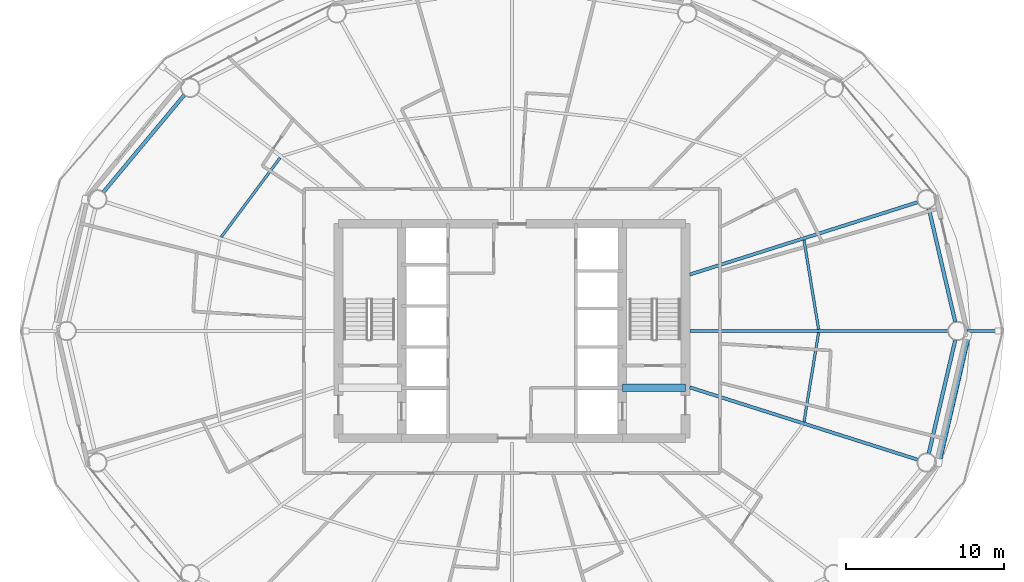
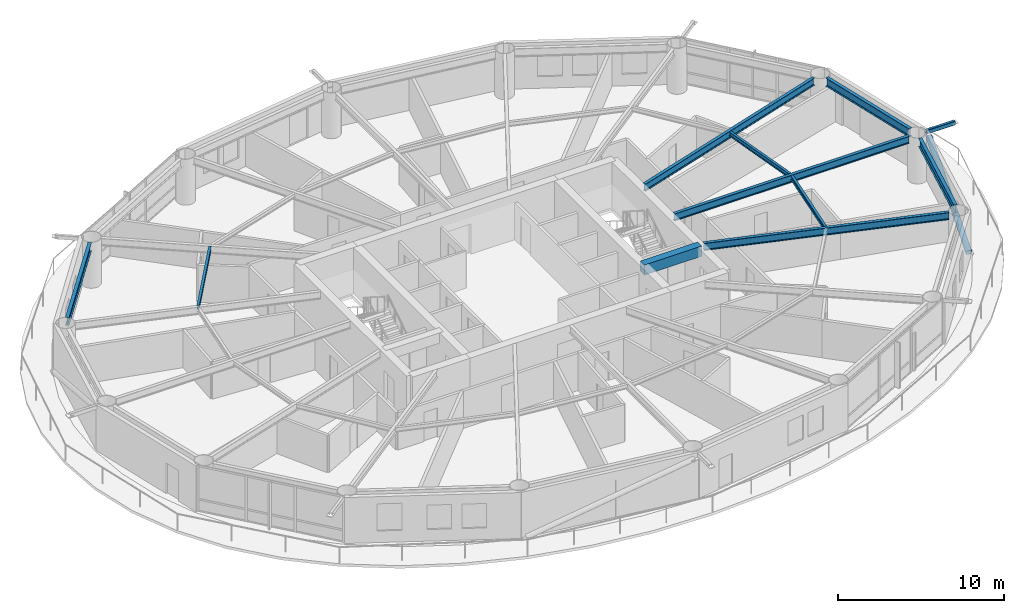
# One storey, part 7 of 24: 10 beams, 2 members.
"""IFC4 building model written with IfcOpenShell, lengths in metres."""

from ifc_helpers import new_model, si_unit, direction, frame, origin, origin_2d, place, context, subcontext, project, spatial, rectangle, hollow_rectangle, hollow_circle, i_section, extrude, material, material_profile, profile_set, type_object, element, save


model = new_model("IFC4")

# Units and contexts
model_context = context("Model", 3, precision=1e-05, world=origin(), true_north=direction((0.0, 1.0)))
body_context = subcontext(model_context, "Body", "Model", "MODEL_VIEW")
ifc_project = project(units=[si_unit("LENGTHUNIT", "METRE"), si_unit("AREAUNIT", "SQUARE_METRE"), si_unit("VOLUMEUNIT", "CUBIC_METRE"), si_unit("PLANEANGLEUNIT", "RADIAN"), si_unit("MASSUNIT", "GRAM", prefix="KILO")], contexts=[model_context])

# Site, building, storey
site_placement = place(None, origin())
site = spatial("IfcSite", under=ifc_project, at=site_placement, CompositionType="ELEMENT")
building_placement = place(site_placement, origin())
building = spatial("IfcBuilding", under=site, at=building_placement, Name="Sarneth Arch Tower", CompositionType="ELEMENT")
storey_placement = place(building_placement, frame((0.0, 0.0, 98.39990234375)))
storey = spatial("IfcBuildingStorey", under=building, at=storey_placement, Name="L24", CompositionType="ELEMENT", Elevation=98.39990234375)

# Beams
ifc_material_1 = material(Name="Steel S355", Category="steel")
ifc_material_profile_1 = material_profile(ifc_material_1, i_section(OverallWidth=0.1669921875, OverallDepth=0.31689453125, WebThickness=0.007568359375, FlangeThickness=0.01318359375, FilletRadius=0.012939453125, at=origin_2d()), Name="W310x52")
ifc_profile_set_1 = profile_set([ifc_material_profile_1], Name="Steel S355")
beam_type_1 = type_object("IfcBeamType", Name="BM-JOIST-310B", PredefinedType="JOIST", material=ifc_profile_set_1)
beam_1_placement = place(storey_placement, frame((67.438720703125, 42.10400390625, 3.2216796875), z_axis=(-0.16118181609, 0.986924729735, 0.0), x_axis=(-0.986924729735, -0.16118181609, 0.0)))
element("IfcBeam", 1, at=beam_1_placement, inside=storey, type_object=beam_type_1, Name="L24 Secondary floor joist 01", PredefinedType="JOIST", context=body_context, shape_type="SweptSolid", body=[
    extrude(i_section(OverallWidth=0.1669921875, OverallDepth=0.31689453125, WebThickness=0.007568359375, FlangeThickness=0.01318359375, FilletRadius=0.012939453125, at=origin_2d()), origin(), (0.0, 0.0, 1.0), 5.736083984375),
])
beam_2_placement = place(storey_placement, frame((33.296630859375, 52.9794921875, 3.2216796875), z_axis=(-0.596098474255, -0.802911333206, 0.0), x_axis=(0.802911333206, -0.596098474255, 0.0)))
element("IfcBeam", 2, at=beam_2_placement, inside=storey, type_object=beam_type_1, Name="L24 Secondary floor joist 07", PredefinedType="JOIST", context=body_context, shape_type="SweptSolid", body=[
    extrude(i_section(OverallWidth=0.1669921875, OverallDepth=0.31689453125, WebThickness=0.007568359375, FlangeThickness=0.01318359375, FilletRadius=0.012939453125, at=origin_2d()), origin(), (0.0, 0.0, 1.0), 6.259033203125),
])
beam_3_placement = place(storey_placement, frame((66.51416015625, 36.23486328125, 3.2216796875), z_axis=(0.16118181609, 0.986924729735, 0.0), x_axis=(-0.986924729735, 0.16118181609, 0.0)))
element("IfcBeam", 3, at=beam_3_placement, inside=storey, type_object=beam_type_1, Name="L24 Secondary floor joist 16", PredefinedType="JOIST", context=body_context, shape_type="SweptSolid", body=[
    extrude(i_section(OverallWidth=0.1669921875, OverallDepth=0.31689453125, WebThickness=0.007568359375, FlangeThickness=0.01318359375, FilletRadius=0.012939453125, at=origin_2d()), origin(), (0.0, 0.0, 1.0), 5.736083984375),
])
ifc_material_2 = material(Name="Concrete C50/60", Category="concrete")
ifc_material_profile_2 = material_profile(ifc_material_2, rectangle(XDim=0.5, YDim=0.75, at=origin_2d()), Name="RC-500x750")
ifc_profile_set_2 = profile_set([ifc_material_profile_2], Name="Concrete C50/60")
beam_type_2 = type_object("IfcBeamType", Name="BM-LINTEL-RC", PredefinedType="LINTEL", material=ifc_profile_set_2)
beam_4_placement = place(storey_placement, frame((55.0, 38.39990234375, 3.005126953125), z_axis=(1.0, 0.0, 0.0), x_axis=(0.0, 1.0, 0.0)))
element("IfcBeam", 4, at=beam_4_placement, inside=storey, type_object=beam_type_2, Name="L24 Core coupling lintel E", PredefinedType="LINTEL", context=body_context, shape_type="SweptSolid", body=[
    extrude(rectangle(XDim=0.5, YDim=0.75, at=origin_2d()), origin(), (0.0, 0.0, 1.0), 4.0),
])
ifc_material_3 = material(Name="Steel S355", Category="steel")
ifc_material_profile_3 = material_profile(ifc_material_3, i_section(OverallWidth=0.2109375, OverallDepth=0.5390625, WebThickness=0.01171875, FlangeThickness=0.018798828125, FilletRadius=0.01806640625, at=origin_2d()), Name="W530x109")
ifc_profile_set_3 = profile_set([ifc_material_profile_3], Name="Steel S355")
beam_type_3 = type_object("IfcBeamType", Name="BM-RAD-530B", PredefinedType="BEAM", material=ifc_profile_set_3)
beam_5_placement = place(storey_placement, frame((59.27490234375, 42.0, 3.110595703125), z_axis=(1.0, 0.0, 0.0), x_axis=(0.0, 1.0, 0.0)))
element("IfcBeam", 5, at=beam_5_placement, inside=storey, type_object=beam_type_3, Name="L24 Radial floor girder 01", PredefinedType="BEAM", context=body_context, shape_type="SweptSolid", body=[
    extrude(i_section(OverallWidth=0.2109375, OverallDepth=0.5390625, WebThickness=0.01171875, FlangeThickness=0.018798828125, FilletRadius=0.01806640625, at=origin_2d()), origin(), (0.0, 0.0, 1.0), 16.36181640625),
])
for number, where, z_axis, x_axis, name in (
    (6, (59.27490234375, 45.57763671875, 3.110595703125), (0.953162461637, 0.302458793435, 0.0), (-0.302458793435, 0.953162461637, 0.0), "L24 Radial floor girder 02"),
    (7, (59.27490234375, 38.42236328125, 3.110595703125), (0.953162461637, -0.302458793435, 0.0), (0.302458793435, 0.953162461637, 0.0), "L24 Radial floor girder 16"),
):
    element("IfcBeam", number, at=place(storey_placement, frame(where, z_axis=z_axis, x_axis=x_axis)), inside=storey, type_object=beam_type_3, Name=name, PredefinedType="BEAM", context=body_context, shape_type="SweptSolid", body=[
        extrude(i_section(OverallWidth=0.2109375, OverallDepth=0.5390625, WebThickness=0.01171875, FlangeThickness=0.018798828125, FilletRadius=0.01806640625, at=origin_2d()), origin(), (0.0, 0.0, 1.0), 15.154052734375),
    ])
ifc_material_4 = material(Name="Steel S355", Category="steel")
ifc_material_profile_4 = material_profile(ifc_material_4, i_section(OverallWidth=0.22900390625, OverallDepth=0.612060546875, WebThickness=0.011962890625, FlangeThickness=0.01953125, FilletRadius=0.01904296875, at=origin_2d()), Name="W610x125")
ifc_profile_set_4 = profile_set([ifc_material_profile_4], Name="Steel S355")
beam_type_4 = type_object("IfcBeamType", Name="BM-SPAN-610C", PredefinedType="SPANDREL", material=ifc_profile_set_4)
beam_6_placement = place(storey_placement, frame((76.100341796875, 42.584228515625, 3.07421875), z_axis=(-0.227088175252, 0.973874201661, 0.0), x_axis=(-0.973874201661, -0.227088175252, 0.0)))
element("IfcBeam", 8, at=beam_6_placement, inside=storey, type_object=beam_type_4, Name="L24 Perimeter spandrel beam 01", PredefinedType="SPANDREL", context=body_context, shape_type="SweptSolid", body=[
    extrude(i_section(OverallWidth=0.22900390625, OverallDepth=0.612060546875, WebThickness=0.011962890625, FlangeThickness=0.01953125, FilletRadius=0.01904296875, at=origin_2d()), origin(), (0.0, 0.0, 1.0), 7.366455078125),
])
beam_7_placement = place(storey_placement, frame((27.21826171875, 56.9541015625, 3.07421875), z_axis=(-0.640163403463, -0.768238775946, 0.0), x_axis=(0.768238775946, -0.640163403463, 0.0)))
element("IfcBeam", 9, at=beam_7_placement, inside=storey, type_object=beam_type_4, Name="L24 Perimeter spandrel beam 07", PredefinedType="SPANDREL", context=body_context, shape_type="SweptSolid", body=[
    extrude(i_section(OverallWidth=0.22900390625, OverallDepth=0.612060546875, WebThickness=0.011962890625, FlangeThickness=0.01953125, FilletRadius=0.01904296875, at=origin_2d()), origin(), (0.0, 0.0, 1.0), 8.006103515625),
])
beam_8_placement = place(storey_placement, frame((74.427490234375, 34.24169921875, 3.07421875), z_axis=(0.227088175252, 0.973874201661, 0.0), x_axis=(-0.973874201661, 0.227088175252, 0.0)))
element("IfcBeam", 10, at=beam_8_placement, inside=storey, type_object=beam_type_4, Name="L24 Perimeter spandrel beam 16", PredefinedType="SPANDREL", context=body_context, shape_type="SweptSolid", body=[
    extrude(i_section(OverallWidth=0.22900390625, OverallDepth=0.612060546875, WebThickness=0.011962890625, FlangeThickness=0.01953125, FilletRadius=0.01904296875, at=origin_2d()), origin(), (0.0, 0.0, 1.0), 7.366455078125),
])

# Members
ifc_material_5 = material(Name="Steel S355", Category="steel")
ifc_material_profile_5 = material_profile(ifc_material_5, hollow_rectangle(XDim=0.199951171875, YDim=0.300048828125, WallThickness=0.012451171875, InnerFilletRadius=0.018798828125, OuterFilletRadius=0.03125, at=origin_2d()), Name="RHS300x200x12.5")
ifc_profile_set_5 = profile_set([ifc_material_profile_5], Name="Steel S355")
member_type_1 = type_object("IfcMemberType", Name="MEM-CANT-STRUT", PredefinedType="STRUT", material=ifc_profile_set_5)
member_1_placement = place(storey_placement, frame((76.836669921875, 42.0, 3.22021484375), z_axis=(1.0, 0.0, 0.0), x_axis=(0.0, 1.0, 0.0)))
element("IfcMember", 11, at=member_1_placement, inside=storey, type_object=member_type_1, Name="L24 Balcony cantilever bracket 01", PredefinedType="STRUT", context=body_context, shape_type="SweptSolid", body=[
    extrude(hollow_rectangle(XDim=0.199951171875, YDim=0.300048828125, WallThickness=0.012451171875, InnerFilletRadius=0.018798828125, OuterFilletRadius=0.03125, at=origin_2d()), origin(), (0.0, 0.0, 1.0), 1.985595703125),
])
ifc_material_6 = material(Name="Steel S355", Category="steel")
ifc_material_profile_6 = material_profile(ifc_material_6, hollow_circle(Radius=0.202880859375, WallThickness=0.01611328125, at=origin_2d()), Name="CHS406x16")
ifc_profile_set_6 = profile_set([ifc_material_profile_6], Name="Steel S355")
member_type_2 = type_object("IfcMemberType", Name="MEM-DIAG-BR2", PredefinedType="BRACE", material=ifc_profile_set_6)
member_2_placement = place(storey_placement, frame((75.01953125, 33.67041015625, 0.02001953125), z_axis=(0.211849757262, 0.915864196825, 0.341046116123), x_axis=(-0.974275349464, 0.225360918143, 0.0)))
element("IfcMember", 12, at=member_2_placement, inside=storey, type_object=member_type_2, Name="L24 Perimeter frame diagonal 16", PredefinedType="BRACE", context=body_context, shape_type="SweptSolid", body=[
    extrude(hollow_circle(Radius=0.202880859375, WallThickness=0.01611328125, at=origin_2d()), origin(), (0.0, 0.0, 1.0), 8.775634765625),
])

save(model, "model.ifc")
